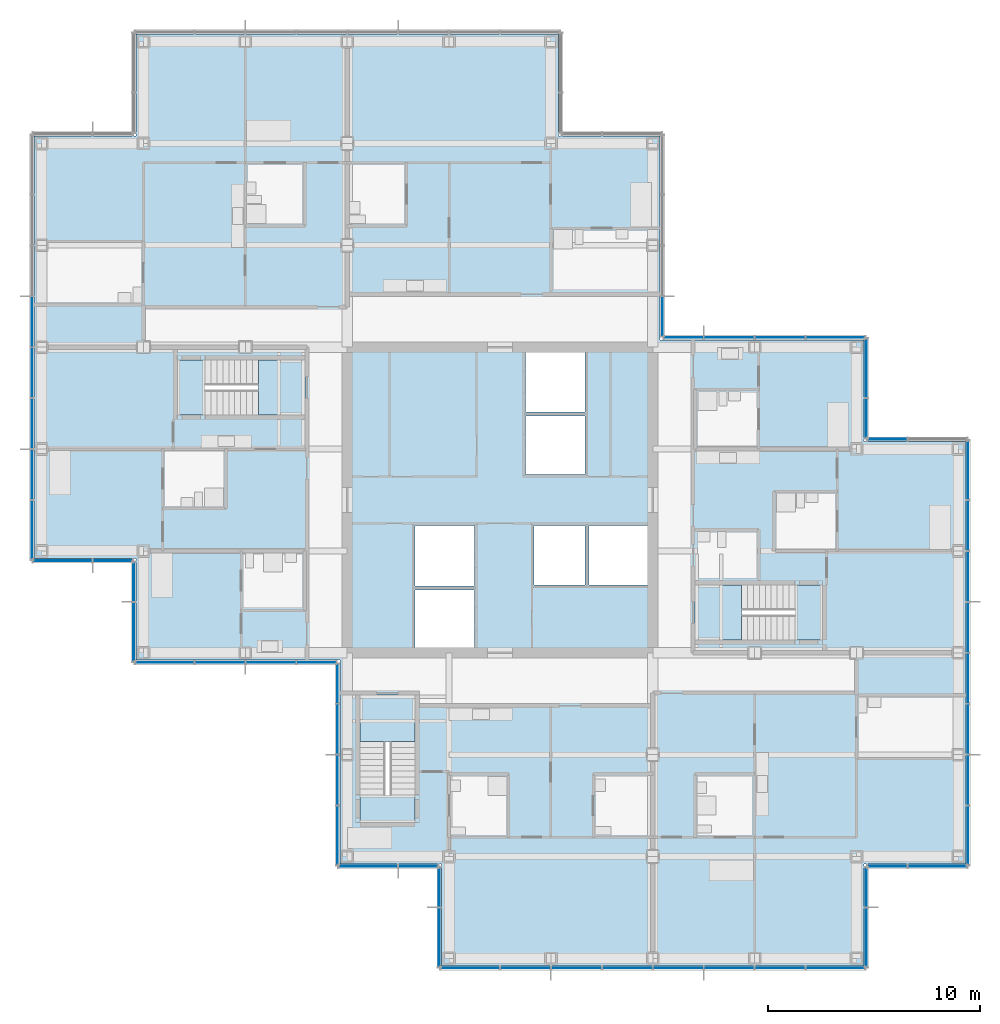
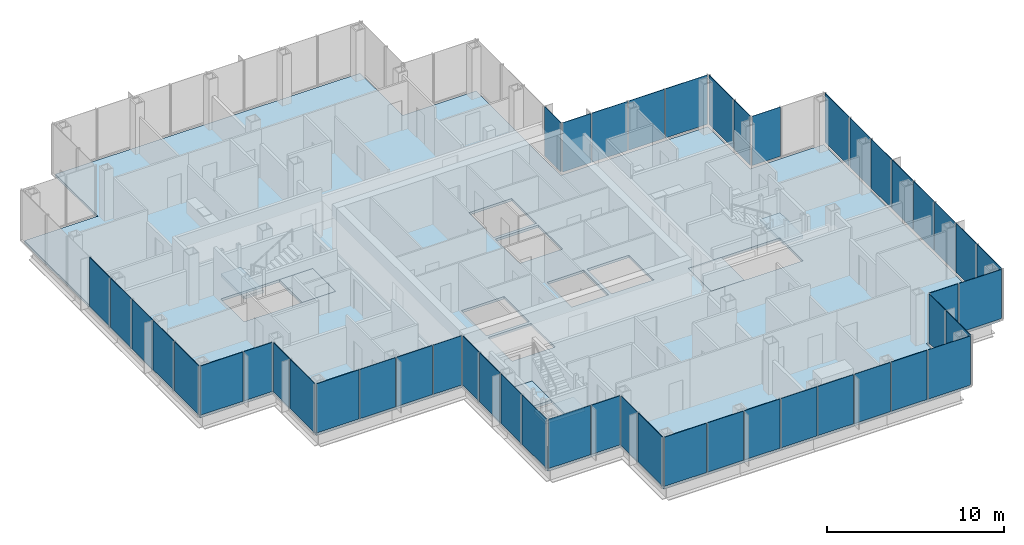
# One storey, part 11 of 19: 49 plates, 7 slabs, 18 elements without a shape of their own.
"""IFC4 building model written with IfcOpenShell, lengths in metres."""

from ifc_helpers import new_model, si_unit, direction, frame, origin, origin_2d, place, context, subcontext, project, spatial, polyline, rectangle, outline, extrude, material, layer, layer_set, type_object, element, aggregate, save


model = new_model("IFC4")

# Units and contexts
model_context = context("Model", 3, precision=1e-05, world=origin(), true_north=direction((0.0, 1.0)))
body_context = subcontext(model_context, "Body", "Model", "MODEL_VIEW")
ifc_project = project(units=[si_unit("LENGTHUNIT", "METRE"), si_unit("AREAUNIT", "SQUARE_METRE"), si_unit("VOLUMEUNIT", "CUBIC_METRE"), si_unit("PLANEANGLEUNIT", "RADIAN"), si_unit("MASSUNIT", "GRAM", prefix="KILO")], contexts=[model_context])

# Site, building, storey
site_placement = place(None, origin())
site = spatial("IfcSite", under=ifc_project, at=site_placement, CompositionType="ELEMENT")
building_placement = place(site_placement, origin())
building = spatial("IfcBuilding", under=site, at=building_placement, Name="Kvirike Care Tower", CompositionType="ELEMENT")
storey_placement = place(building_placement, frame((0.0, 0.0, 129.5)))
storey = spatial("IfcBuildingStorey", under=building, at=storey_placement, Name="L35", CompositionType="ELEMENT", Elevation=129.5)

# Slab
ifc_material_1 = material(Name="Concrete C35/45", Category="concrete")
ifc_layer_1 = layer(ifc_material_1, 0.169921875)
ifc_layer_set_1 = layer_set([ifc_layer_1], Name="FLOOR SLAB 170")
slab_type_1 = type_object("IfcSlabType", Name="FLOOR SLAB 170", PredefinedType="FLOOR", material=ifc_layer_set_1)
slab_1_placement = place(storey_placement, frame((0.0, 0.0, -0.169921875)))
element("IfcSlab", 1, at=slab_1_placement, inside=storey, type_object=slab_type_1, Name="Floor slab L35", PredefinedType="FLOOR", context=body_context, shape_type="SweptSolid", body=[
    extrude(outline(polyline([(43.550048828125, 18.85009765625), (43.550048828125, 38.75), (38.75, 38.75), (38.75, 43.550048828125), (29.14990234375, 43.550048828125), (29.14990234375, 53.14990234375), (24.35009765625, 53.14990234375), (24.35009765625, 57.949951171875), (4.449951171875, 57.949951171875), (4.449951171875, 53.14990234375), (-0.35009765625, 53.14990234375), (-0.35009765625, 33.25), (4.449951171875, 33.25), (4.449951171875, 28.449951171875), (14.050048828125, 28.449951171875), (14.050048828125, 18.85009765625), (18.85009765625, 18.85009765625), (18.85009765625, 14.050048828125), (38.75, 14.050048828125), (38.75, 18.85009765625), (43.550048828125, 18.85009765625)]), holes=[polyline([(17.60009765625, 29.050048828125), (17.60009765625, 31.75), (20.39990234375, 31.75), (20.39990234375, 29.050048828125), (17.60009765625, 29.050048828125)]), polyline([(17.60009765625, 31.949951171875), (17.60009765625, 34.800048828125), (20.39990234375, 34.800048828125), (20.39990234375, 31.949951171875), (17.60009765625, 31.949951171875)]), polyline([(22.800048828125, 37.199951171875), (22.800048828125, 39.949951171875), (25.60009765625, 39.949951171875), (25.60009765625, 37.199951171875), (22.800048828125, 37.199951171875)]), polyline([(22.800048828125, 40.14990234375), (22.800048828125, 42.949951171875), (25.60009765625, 42.949951171875), (25.60009765625, 40.14990234375), (22.800048828125, 40.14990234375)]), polyline([(23.199951171875, 32.0), (23.199951171875, 34.800048828125), (25.60009765625, 34.800048828125), (25.60009765625, 32.0), (23.199951171875, 32.0)]), polyline([(25.800048828125, 32.0), (25.800048828125, 34.800048828125), (28.550048828125, 34.800048828125), (28.550048828125, 32.0), (25.800048828125, 32.0)]), polyline([(12.39990234375, 42.60009765625), (12.39990234375, 40.0), (6.39990234375, 40.0), (6.39990234375, 42.60009765625), (12.39990234375, 42.60009765625)]), polyline([(30.800048828125, 29.39990234375), (30.800048828125, 32.0), (36.800048828125, 32.0), (36.800048828125, 29.39990234375), (30.800048828125, 29.39990234375)]), polyline([(15.0, 26.800048828125), (17.60009765625, 26.800048828125), (17.60009765625, 20.800048828125), (15.0, 20.800048828125), (15.0, 26.800048828125)])]), origin(), (0.0, 0.0, 1.0), 0.169921875),
])

# Stair, slabs
ifc_material_2 = material(Name="Concrete C35/45", Category="concrete")
stair_type = type_object("IfcStairType", Name="STAIR 20 RISERS", PredefinedType="HALF_TURN_STAIR", material=ifc_material_2)
stair_1_placement = place(storey_placement, origin())
stair_1 = element("IfcStair", 2, at=stair_1_placement, inside=storey, type_object=stair_type, Name="Stair 1 L35", PredefinedType="HALF_TURN_STAIR")
ifc_material_3 = material(Name="Concrete C35/45", Category="concrete")
ifc_layer_2 = layer(ifc_material_3, 0.199951171875)
ifc_layer_set_2 = layer_set([ifc_layer_2], Name="STAIR LANDING 200")
slab_type_2 = type_object("IfcSlabType", Name="STAIR LANDING 200", PredefinedType="LANDING", material=ifc_layer_set_2)
slab_2_placement = place(storey_placement, frame((0.0, 0.0, -0.199951171875)))
slab_2 = element("IfcSlab", 3, at=slab_2_placement, type_object=slab_type_2, Name="Stair S1 floor landing L35", PredefinedType="LANDING", context=body_context, shape_type="SweptSolid", body=[
    extrude(outline(polyline([(10.219970703125, 42.60009765625), (10.219970703125, 40.0), (12.39990234375, 40.0), (12.39990234375, 42.60009765625), (10.219970703125, 42.60009765625)])), origin(), (0.0, 0.0, 1.0), 0.199951171875),
])
slab_3_placement = place(storey_placement, frame((0.0, 0.0, 1.550048828125)))
slab_3 = element("IfcSlab", 4, at=slab_3_placement, type_object=slab_type_2, Name="Stair S1 half landing L35-L36", PredefinedType="LANDING", context=body_context, shape_type="SweptSolid", body=[
    extrude(outline(polyline([(6.39990234375, 42.60009765625), (6.39990234375, 40.0), (7.699951171875, 40.0), (7.699951171875, 42.60009765625), (6.39990234375, 42.60009765625)])), origin(), (0.0, 0.0, 1.0), 0.199951171875),
])
aggregate(stair_1, [slab_2, slab_3])

stair_2_placement = place(storey_placement, origin())
stair_2 = element("IfcStair", 5, at=stair_2_placement, inside=storey, type_object=stair_type, Name="Stair 2 L35", PredefinedType="HALF_TURN_STAIR")
slab_4_placement = place(storey_placement, frame((0.0, 0.0, -0.199951171875)))
slab_4 = element("IfcSlab", 6, at=slab_4_placement, type_object=slab_type_2, Name="Stair S2 floor landing L35", PredefinedType="LANDING", context=body_context, shape_type="SweptSolid", body=[
    extrude(outline(polyline([(32.97998046875, 29.39990234375), (32.97998046875, 32.0), (30.800048828125, 32.0), (30.800048828125, 29.39990234375), (32.97998046875, 29.39990234375)])), origin(), (0.0, 0.0, 1.0), 0.199951171875),
])
slab_5_placement = place(storey_placement, frame((0.0, 0.0, 1.550048828125)))
slab_5 = element("IfcSlab", 7, at=slab_5_placement, type_object=slab_type_2, Name="Stair S2 half landing L35-L36", PredefinedType="LANDING", context=body_context, shape_type="SweptSolid", body=[
    extrude(outline(polyline([(36.800048828125, 29.39990234375), (36.800048828125, 32.0), (35.5, 32.0), (35.5, 29.39990234375), (36.800048828125, 29.39990234375)])), origin(), (0.0, 0.0, 1.0), 0.199951171875),
])
aggregate(stair_2, [slab_4, slab_5])

stair_3_placement = place(storey_placement, origin())
stair_3 = element("IfcStair", 8, at=stair_3_placement, inside=storey, type_object=stair_type, Name="Stair 5 L35", PredefinedType="HALF_TURN_STAIR")
slab_6_placement = place(storey_placement, frame((0.0, 0.0, -0.199951171875)))
slab_6 = element("IfcSlab", 9, at=slab_6_placement, type_object=slab_type_2, Name="Stair S5 floor landing L35", PredefinedType="LANDING", context=body_context, shape_type="SweptSolid", body=[
    extrude(outline(polyline([(15.0, 24.6201171875), (17.60009765625, 24.6201171875), (17.60009765625, 26.800048828125), (15.0, 26.800048828125), (15.0, 24.6201171875)])), origin(), (0.0, 0.0, 1.0), 0.199951171875),
])
slab_7_placement = place(storey_placement, frame((0.0, 0.0, 1.550048828125)))
slab_7 = element("IfcSlab", 10, at=slab_7_placement, type_object=slab_type_2, Name="Stair S5 half landing L35-L36", PredefinedType="LANDING", context=body_context, shape_type="SweptSolid", body=[
    extrude(outline(polyline([(15.0, 20.800048828125), (17.60009765625, 20.800048828125), (17.60009765625, 22.10009765625), (15.0, 22.10009765625), (15.0, 20.800048828125)])), origin(), (0.0, 0.0, 1.0), 0.199951171875),
])
aggregate(stair_3, [slab_6, slab_7])

# Curtain wall, plates
ifc_material_4 = material(Name="Anodised aluminium stick system", Category="aluminium")
curtain_wall_type = type_object("IfcCurtainWallType", Name="CW-B STICK CURTAIN WALL", PredefinedType="NOTDEFINED", material=ifc_material_4)
curtain_wall_1_placement = place(storey_placement, origin())
curtain_wall_1 = element("IfcCurtainWall", 11, at=curtain_wall_1_placement, inside=storey, type_object=curtain_wall_type, Name="Curtain wall L35 face 1", PredefinedType="NOTDEFINED")
ifc_material_5 = material(Name="Tinted double glazed unit", Category="glass")
ifc_layer_3 = layer(ifc_material_5, 0.035888671875)
ifc_layer_set_3 = layer_set([ifc_layer_3], Name="TINTED VISION PANEL 36")
plate_type = type_object("IfcPlateType", Name="TINTED VISION PANEL 36", PredefinedType="CURTAIN_PANEL", material=ifc_layer_set_3)
plate_1_placement = place(storey_placement, frame((43.659912109375, 20.186279296875, 0.10009765625), z_axis=(0.0, 0.0, 1.0), x_axis=(0.0, 1.0, 0.0)))
plate_1 = element("IfcPlate", 12, at=plate_1_placement, type_object=plate_type, Name="CW-B panel L35 face 1.1", PredefinedType="CURTAIN_PANEL", context=body_context, shape_type="SweptSolid", body=[
    extrude(rectangle(XDim=2.762451171875, YDim=0.035888671875, at=origin_2d()), origin(), (0.0, 0.0, 1.0), 3.39990234375),
])
plate_2_placement = place(storey_placement, frame((43.659912109375, 22.800048828125, 0.10009765625), z_axis=(0.0, 0.0, 1.0), x_axis=(0.0, 1.0, 0.0)))
plate_2 = element("IfcPlate", 13, at=plate_2_placement, type_object=plate_type, Name="CW-B panel L35 face 1.2", PredefinedType="CURTAIN_PANEL", context=body_context, shape_type="SweptSolid", body=[
    extrude(rectangle(XDim=2.3349609375, YDim=0.035888671875, at=origin_2d()), origin(), (0.0, 0.0, 1.0), 3.39990234375),
])
plate_3_placement = place(storey_placement, frame((43.659912109375, 25.199951171875, 0.10009765625), z_axis=(0.0, 0.0, 1.0), x_axis=(0.0, 1.0, 0.0)))
plate_3 = element("IfcPlate", 14, at=plate_3_placement, type_object=plate_type, Name="CW-B panel L35 face 1.3", PredefinedType="CURTAIN_PANEL", context=body_context, shape_type="SweptSolid", body=[
    extrude(rectangle(XDim=2.3349609375, YDim=0.035888671875, at=origin_2d()), origin(), (0.0, 0.0, 1.0), 3.39990234375),
])
plate_4_placement = place(storey_placement, frame((43.659912109375, 27.60009765625, 0.10009765625), z_axis=(0.0, 0.0, 1.0), x_axis=(0.0, 1.0, 0.0)))
plate_4 = element("IfcPlate", 15, at=plate_4_placement, type_object=plate_type, Name="CW-B panel L35 face 1.4", PredefinedType="CURTAIN_PANEL", context=body_context, shape_type="SweptSolid", body=[
    extrude(rectangle(XDim=2.3349609375, YDim=0.035888671875, at=origin_2d()), origin(), (0.0, 0.0, 1.0), 3.39990234375),
])
plate_5_placement = place(storey_placement, frame((43.659912109375, 30.0, 0.10009765625), z_axis=(0.0, 0.0, 1.0), x_axis=(0.0, 1.0, 0.0)))
plate_5 = element("IfcPlate", 16, at=plate_5_placement, type_object=plate_type, Name="CW-B panel L35 face 1.5", PredefinedType="CURTAIN_PANEL", context=body_context, shape_type="SweptSolid", body=[
    extrude(rectangle(XDim=2.3349609375, YDim=0.035888671875, at=origin_2d()), origin(), (0.0, 0.0, 1.0), 3.39990234375),
])
plate_6_placement = place(storey_placement, frame((43.659912109375, 32.39990234375, 0.10009765625), z_axis=(0.0, 0.0, 1.0), x_axis=(0.0, 1.0, 0.0)))
plate_6 = element("IfcPlate", 17, at=plate_6_placement, type_object=plate_type, Name="CW-B panel L35 face 1.6", PredefinedType="CURTAIN_PANEL", context=body_context, shape_type="SweptSolid", body=[
    extrude(rectangle(XDim=2.3349609375, YDim=0.035888671875, at=origin_2d()), origin(), (0.0, 0.0, 1.0), 3.39990234375),
])
plate_7_placement = place(storey_placement, frame((43.659912109375, 34.800048828125, 0.10009765625), z_axis=(0.0, 0.0, 1.0), x_axis=(0.0, 1.0, 0.0)))
plate_7 = element("IfcPlate", 18, at=plate_7_placement, type_object=plate_type, Name="CW-B panel L35 face 1.7", PredefinedType="CURTAIN_PANEL", context=body_context, shape_type="SweptSolid", body=[
    extrude(rectangle(XDim=2.3349609375, YDim=0.035888671875, at=origin_2d()), origin(), (0.0, 0.0, 1.0), 3.39990234375),
])
plate_8_placement = place(storey_placement, frame((43.659912109375, 37.413818359375, 0.10009765625), z_axis=(0.0, 0.0, 1.0), x_axis=(0.0, 1.0, 0.0)))
plate_8 = element("IfcPlate", 19, at=plate_8_placement, type_object=plate_type, Name="CW-B panel L35 face 1.8", PredefinedType="CURTAIN_PANEL", context=body_context, shape_type="SweptSolid", body=[
    extrude(rectangle(XDim=2.762451171875, YDim=0.035888671875, at=origin_2d()), origin(), (0.0, 0.0, 1.0), 3.39990234375),
])
aggregate(curtain_wall_1, [plate_1, plate_2, plate_3, plate_4, plate_5, plate_6, plate_7, plate_8])

# Curtain wall, plate
curtain_wall_2_placement = place(storey_placement, origin())
curtain_wall_2 = element("IfcCurtainWall", 20, at=curtain_wall_2_placement, inside=storey, type_object=curtain_wall_type, Name="Curtain wall L35 face 2", PredefinedType="NOTDEFINED")
plate_9_placement = place(storey_placement, frame((39.84619140625, 38.860107421875, 0.10009765625), z_axis=(0.0, 0.0, 1.0), x_axis=(-1.0, 0.0, 0.0)))
plate_9 = element("IfcPlate", 21, at=plate_9_placement, type_object=plate_type, Name="CW-B panel L35 face 2.2", PredefinedType="CURTAIN_PANEL", context=body_context, shape_type="SweptSolid", body=[
    extrude(rectangle(XDim=1.842529296875, YDim=0.035888671875, at=origin_2d()), origin(), (0.0, 0.0, 1.0), 3.39990234375),
])
aggregate(curtain_wall_2, [plate_9])

# Curtain wall, plates
curtain_wall_3_placement = place(storey_placement, origin())
curtain_wall_3 = element("IfcCurtainWall", 22, at=curtain_wall_3_placement, inside=storey, type_object=curtain_wall_type, Name="Curtain wall L35 face 3", PredefinedType="NOTDEFINED")
plate_10_placement = place(storey_placement, frame((38.860107421875, 39.84619140625, 0.10009765625), z_axis=(0.0, 0.0, 1.0), x_axis=(0.0, 1.0, 0.0)))
plate_10 = element("IfcPlate", 23, at=plate_10_placement, type_object=plate_type, Name="CW-B panel L35 face 3.1", PredefinedType="CURTAIN_PANEL", context=body_context, shape_type="SweptSolid", body=[
    extrude(rectangle(XDim=1.842529296875, YDim=0.035888671875, at=origin_2d()), origin(), (0.0, 0.0, 1.0), 3.39990234375),
])
plate_11_placement = place(storey_placement, frame((38.860107421875, 42.2138671875, 0.10009765625), z_axis=(0.0, 0.0, 1.0), x_axis=(0.0, 1.0, 0.0)))
plate_11 = element("IfcPlate", 24, at=plate_11_placement, type_object=plate_type, Name="CW-B panel L35 face 3.2", PredefinedType="CURTAIN_PANEL", context=body_context, shape_type="SweptSolid", body=[
    extrude(rectangle(XDim=2.762451171875, YDim=0.035888671875, at=origin_2d()), origin(), (0.0, 0.0, 1.0), 3.39990234375),
])
aggregate(curtain_wall_3, [plate_10, plate_11])

curtain_wall_4_placement = place(storey_placement, origin())
curtain_wall_4 = element("IfcCurtainWall", 25, at=curtain_wall_4_placement, inside=storey, type_object=curtain_wall_type, Name="Curtain wall L35 face 4", PredefinedType="NOTDEFINED")
plate_12_placement = place(storey_placement, frame((37.413818359375, 43.659912109375, 0.10009765625), z_axis=(0.0, 0.0, 1.0), x_axis=(-1.0, 0.0, 0.0)))
plate_12 = element("IfcPlate", 26, at=plate_12_placement, type_object=plate_type, Name="CW-B panel L35 face 4.1", PredefinedType="CURTAIN_PANEL", context=body_context, shape_type="SweptSolid", body=[
    extrude(rectangle(XDim=2.762451171875, YDim=0.035888671875, at=origin_2d()), origin(), (0.0, 0.0, 1.0), 3.39990234375),
])
plate_13_placement = place(storey_placement, frame((34.800048828125, 43.659912109375, 0.10009765625), z_axis=(0.0, 0.0, 1.0), x_axis=(-1.0, 0.0, 0.0)))
plate_13 = element("IfcPlate", 27, at=plate_13_placement, type_object=plate_type, Name="CW-B panel L35 face 4.2", PredefinedType="CURTAIN_PANEL", context=body_context, shape_type="SweptSolid", body=[
    extrude(rectangle(XDim=2.3349609375, YDim=0.035888671875, at=origin_2d()), origin(), (0.0, 0.0, 1.0), 3.39990234375),
])
plate_14_placement = place(storey_placement, frame((32.39990234375, 43.659912109375, 0.10009765625), z_axis=(0.0, 0.0, 1.0), x_axis=(-1.0, 0.0, 0.0)))
plate_14 = element("IfcPlate", 28, at=plate_14_placement, type_object=plate_type, Name="CW-B panel L35 face 4.3", PredefinedType="CURTAIN_PANEL", context=body_context, shape_type="SweptSolid", body=[
    extrude(rectangle(XDim=2.3349609375, YDim=0.035888671875, at=origin_2d()), origin(), (0.0, 0.0, 1.0), 3.39990234375),
])
plate_15_placement = place(storey_placement, frame((30.246337890625, 43.659912109375, 0.10009765625), z_axis=(0.0, 0.0, 1.0), x_axis=(-1.0, 0.0, 0.0)))
plate_15 = element("IfcPlate", 29, at=plate_15_placement, type_object=plate_type, Name="CW-B panel L35 face 4.4", PredefinedType="CURTAIN_PANEL", context=body_context, shape_type="SweptSolid", body=[
    extrude(rectangle(XDim=1.842529296875, YDim=0.035888671875, at=origin_2d()), origin(), (0.0, 0.0, 1.0), 3.39990234375),
])
aggregate(curtain_wall_4, [plate_12, plate_13, plate_14, plate_15])

# Curtain wall, plate
curtain_wall_5_placement = place(storey_placement, origin())
curtain_wall_5 = element("IfcCurtainWall", 30, at=curtain_wall_5_placement, inside=storey, type_object=curtain_wall_type, Name="Curtain wall L35 face 5", PredefinedType="NOTDEFINED")
plate_16_placement = place(storey_placement, frame((29.260009765625, 44.646240234375, 0.10009765625), z_axis=(0.0, 0.0, 1.0), x_axis=(0.0, 1.0, 0.0)))
plate_16 = element("IfcPlate", 31, at=plate_16_placement, type_object=plate_type, Name="CW-B panel L35 face 5.1", PredefinedType="CURTAIN_PANEL", context=body_context, shape_type="SweptSolid", body=[
    extrude(rectangle(XDim=1.842529296875, YDim=0.035888671875, at=origin_2d()), origin(), (0.0, 0.0, 1.0), 3.39990234375),
])
aggregate(curtain_wall_5, [plate_16])

# Curtain wall, plates
curtain_wall_6_placement = place(storey_placement, origin())
curtain_wall_6 = element("IfcCurtainWall", 32, at=curtain_wall_6_placement, inside=storey, type_object=curtain_wall_type, Name="Curtain wall L35 face 11", PredefinedType="NOTDEFINED")
plate_17_placement = place(storey_placement, frame((-0.4599609375, 44.39990234375, 0.10009765625), z_axis=(0.0, 0.0, 1.0), x_axis=(0.0, -1.0, 0.0)))
plate_17 = element("IfcPlate", 33, at=plate_17_placement, type_object=plate_type, Name="CW-B panel L35 face 11.4", PredefinedType="CURTAIN_PANEL", context=body_context, shape_type="SweptSolid", body=[
    extrude(rectangle(XDim=2.3349609375, YDim=0.035888671875, at=origin_2d()), origin(), (0.0, 0.0, 1.0), 3.39990234375),
])
plate_18_placement = place(storey_placement, frame((-0.4599609375, 42.0, 0.10009765625), z_axis=(0.0, 0.0, 1.0), x_axis=(0.0, -1.0, 0.0)))
plate_18 = element("IfcPlate", 34, at=plate_18_placement, type_object=plate_type, Name="CW-B panel L35 face 11.5", PredefinedType="CURTAIN_PANEL", context=body_context, shape_type="SweptSolid", body=[
    extrude(rectangle(XDim=2.3349609375, YDim=0.035888671875, at=origin_2d()), origin(), (0.0, 0.0, 1.0), 3.39990234375),
])
plate_19_placement = place(storey_placement, frame((-0.4599609375, 39.60009765625, 0.10009765625), z_axis=(0.0, 0.0, 1.0), x_axis=(0.0, -1.0, 0.0)))
plate_19 = element("IfcPlate", 35, at=plate_19_placement, type_object=plate_type, Name="CW-B panel L35 face 11.6", PredefinedType="CURTAIN_PANEL", context=body_context, shape_type="SweptSolid", body=[
    extrude(rectangle(XDim=2.3349609375, YDim=0.035888671875, at=origin_2d()), origin(), (0.0, 0.0, 1.0), 3.39990234375),
])
plate_20_placement = place(storey_placement, frame((-0.4599609375, 37.199951171875, 0.10009765625), z_axis=(0.0, 0.0, 1.0), x_axis=(0.0, -1.0, 0.0)))
plate_20 = element("IfcPlate", 36, at=plate_20_placement, type_object=plate_type, Name="CW-B panel L35 face 11.7", PredefinedType="CURTAIN_PANEL", context=body_context, shape_type="SweptSolid", body=[
    extrude(rectangle(XDim=2.3349609375, YDim=0.035888671875, at=origin_2d()), origin(), (0.0, 0.0, 1.0), 3.39990234375),
])
plate_21_placement = place(storey_placement, frame((-0.4599609375, 34.586181640625, 0.10009765625), z_axis=(0.0, 0.0, 1.0), x_axis=(0.0, -1.0, 0.0)))
plate_21 = element("IfcPlate", 37, at=plate_21_placement, type_object=plate_type, Name="CW-B panel L35 face 11.8", PredefinedType="CURTAIN_PANEL", context=body_context, shape_type="SweptSolid", body=[
    extrude(rectangle(XDim=2.762451171875, YDim=0.035888671875, at=origin_2d()), origin(), (0.0, 0.0, 1.0), 3.39990234375),
])
aggregate(curtain_wall_6, [plate_17, plate_18, plate_19, plate_20, plate_21])

curtain_wall_7_placement = place(storey_placement, origin())
curtain_wall_7 = element("IfcCurtainWall", 38, at=curtain_wall_7_placement, inside=storey, type_object=curtain_wall_type, Name="Curtain wall L35 face 12", PredefinedType="NOTDEFINED")
plate_22_placement = place(storey_placement, frame((0.986328125, 33.139892578125, 0.10009765625), z_axis=(0.0, 0.0, 1.0), x_axis=(1.0, 0.0, 0.0)))
plate_22 = element("IfcPlate", 39, at=plate_22_placement, type_object=plate_type, Name="CW-B panel L35 face 12.1", PredefinedType="CURTAIN_PANEL", context=body_context, shape_type="SweptSolid", body=[
    extrude(rectangle(XDim=2.762451171875, YDim=0.035888671875, at=origin_2d()), origin(), (0.0, 0.0, 1.0), 3.39990234375),
])
plate_23_placement = place(storey_placement, frame((3.353759765625, 33.139892578125, 0.10009765625), z_axis=(0.0, 0.0, 1.0), x_axis=(1.0, 0.0, 0.0)))
plate_23 = element("IfcPlate", 40, at=plate_23_placement, type_object=plate_type, Name="CW-B panel L35 face 12.2", PredefinedType="CURTAIN_PANEL", context=body_context, shape_type="SweptSolid", body=[
    extrude(rectangle(XDim=1.842529296875, YDim=0.035888671875, at=origin_2d()), origin(), (0.0, 0.0, 1.0), 3.39990234375),
])
aggregate(curtain_wall_7, [plate_22, plate_23])

curtain_wall_8_placement = place(storey_placement, origin())
curtain_wall_8 = element("IfcCurtainWall", 41, at=curtain_wall_8_placement, inside=storey, type_object=curtain_wall_type, Name="Curtain wall L35 face 13", PredefinedType="NOTDEFINED")
plate_24_placement = place(storey_placement, frame((4.340087890625, 32.15380859375, 0.10009765625), z_axis=(0.0, 0.0, 1.0), x_axis=(0.0, -1.0, 0.0)))
plate_24 = element("IfcPlate", 42, at=plate_24_placement, type_object=plate_type, Name="CW-B panel L35 face 13.1", PredefinedType="CURTAIN_PANEL", context=body_context, shape_type="SweptSolid", body=[
    extrude(rectangle(XDim=1.842529296875, YDim=0.035888671875, at=origin_2d()), origin(), (0.0, 0.0, 1.0), 3.39990234375),
])
plate_25_placement = place(storey_placement, frame((4.340087890625, 29.7861328125, 0.10009765625), z_axis=(0.0, 0.0, 1.0), x_axis=(0.0, -1.0, 0.0)))
plate_25 = element("IfcPlate", 43, at=plate_25_placement, type_object=plate_type, Name="CW-B panel L35 face 13.2", PredefinedType="CURTAIN_PANEL", context=body_context, shape_type="SweptSolid", body=[
    extrude(rectangle(XDim=2.762451171875, YDim=0.035888671875, at=origin_2d()), origin(), (0.0, 0.0, 1.0), 3.39990234375),
])
aggregate(curtain_wall_8, [plate_24, plate_25])

curtain_wall_9_placement = place(storey_placement, origin())
curtain_wall_9 = element("IfcCurtainWall", 44, at=curtain_wall_9_placement, inside=storey, type_object=curtain_wall_type, Name="Curtain wall L35 face 14", PredefinedType="NOTDEFINED")
plate_26_placement = place(storey_placement, frame((5.7861328125, 28.340087890625, 0.10009765625), z_axis=(0.0, 0.0, 1.0), x_axis=(1.0, 0.0, 0.0)))
plate_26 = element("IfcPlate", 45, at=plate_26_placement, type_object=plate_type, Name="CW-B panel L35 face 14.1", PredefinedType="CURTAIN_PANEL", context=body_context, shape_type="SweptSolid", body=[
    extrude(rectangle(XDim=2.762451171875, YDim=0.035888671875, at=origin_2d()), origin(), (0.0, 0.0, 1.0), 3.39990234375),
])
plate_27_placement = place(storey_placement, frame((8.39990234375, 28.340087890625, 0.10009765625), z_axis=(0.0, 0.0, 1.0), x_axis=(1.0, 0.0, 0.0)))
plate_27 = element("IfcPlate", 46, at=plate_27_placement, type_object=plate_type, Name="CW-B panel L35 face 14.2", PredefinedType="CURTAIN_PANEL", context=body_context, shape_type="SweptSolid", body=[
    extrude(rectangle(XDim=2.3349609375, YDim=0.035888671875, at=origin_2d()), origin(), (0.0, 0.0, 1.0), 3.39990234375),
])
plate_28_placement = place(storey_placement, frame((10.800048828125, 28.340087890625, 0.10009765625), z_axis=(0.0, 0.0, 1.0), x_axis=(1.0, 0.0, 0.0)))
plate_28 = element("IfcPlate", 47, at=plate_28_placement, type_object=plate_type, Name="CW-B panel L35 face 14.3", PredefinedType="CURTAIN_PANEL", context=body_context, shape_type="SweptSolid", body=[
    extrude(rectangle(XDim=2.3349609375, YDim=0.035888671875, at=origin_2d()), origin(), (0.0, 0.0, 1.0), 3.39990234375),
])
plate_29_placement = place(storey_placement, frame((12.953857421875, 28.340087890625, 0.10009765625), z_axis=(0.0, 0.0, 1.0), x_axis=(1.0, 0.0, 0.0)))
plate_29 = element("IfcPlate", 48, at=plate_29_placement, type_object=plate_type, Name="CW-B panel L35 face 14.4", PredefinedType="CURTAIN_PANEL", context=body_context, shape_type="SweptSolid", body=[
    extrude(rectangle(XDim=1.842529296875, YDim=0.035888671875, at=origin_2d()), origin(), (0.0, 0.0, 1.0), 3.39990234375),
])
aggregate(curtain_wall_9, [plate_26, plate_27, plate_28, plate_29])

curtain_wall_10_placement = place(storey_placement, origin())
curtain_wall_10 = element("IfcCurtainWall", 49, at=curtain_wall_10_placement, inside=storey, type_object=curtain_wall_type, Name="Curtain wall L35 face 15", PredefinedType="NOTDEFINED")
plate_30_placement = place(storey_placement, frame((13.93994140625, 27.353759765625, 0.10009765625), z_axis=(0.0, 0.0, 1.0), x_axis=(0.0, -1.0, 0.0)))
plate_30 = element("IfcPlate", 50, at=plate_30_placement, type_object=plate_type, Name="CW-B panel L35 face 15.1", PredefinedType="CURTAIN_PANEL", context=body_context, shape_type="SweptSolid", body=[
    extrude(rectangle(XDim=1.842529296875, YDim=0.035888671875, at=origin_2d()), origin(), (0.0, 0.0, 1.0), 3.39990234375),
])
plate_31_placement = place(storey_placement, frame((13.93994140625, 25.199951171875, 0.10009765625), z_axis=(0.0, 0.0, 1.0), x_axis=(0.0, -1.0, 0.0)))
plate_31 = element("IfcPlate", 51, at=plate_31_placement, type_object=plate_type, Name="CW-B panel L35 face 15.2", PredefinedType="CURTAIN_PANEL", context=body_context, shape_type="SweptSolid", body=[
    extrude(rectangle(XDim=2.3349609375, YDim=0.035888671875, at=origin_2d()), origin(), (0.0, 0.0, 1.0), 3.39990234375),
])
plate_32_placement = place(storey_placement, frame((13.93994140625, 22.800048828125, 0.10009765625), z_axis=(0.0, 0.0, 1.0), x_axis=(0.0, -1.0, 0.0)))
plate_32 = element("IfcPlate", 52, at=plate_32_placement, type_object=plate_type, Name="CW-B panel L35 face 15.3", PredefinedType="CURTAIN_PANEL", context=body_context, shape_type="SweptSolid", body=[
    extrude(rectangle(XDim=2.3349609375, YDim=0.035888671875, at=origin_2d()), origin(), (0.0, 0.0, 1.0), 3.39990234375),
])
plate_33_placement = place(storey_placement, frame((13.93994140625, 20.186279296875, 0.10009765625), z_axis=(0.0, 0.0, 1.0), x_axis=(0.0, -1.0, 0.0)))
plate_33 = element("IfcPlate", 53, at=plate_33_placement, type_object=plate_type, Name="CW-B panel L35 face 15.4", PredefinedType="CURTAIN_PANEL", context=body_context, shape_type="SweptSolid", body=[
    extrude(rectangle(XDim=2.762451171875, YDim=0.035888671875, at=origin_2d()), origin(), (0.0, 0.0, 1.0), 3.39990234375),
])
aggregate(curtain_wall_10, [plate_30, plate_31, plate_32, plate_33])

curtain_wall_11_placement = place(storey_placement, origin())
curtain_wall_11 = element("IfcCurtainWall", 54, at=curtain_wall_11_placement, inside=storey, type_object=curtain_wall_type, Name="Curtain wall L35 face 16", PredefinedType="NOTDEFINED")
plate_34_placement = place(storey_placement, frame((15.38623046875, 18.739990234375, 0.10009765625), z_axis=(0.0, 0.0, 1.0), x_axis=(1.0, 0.0, 0.0)))
plate_34 = element("IfcPlate", 55, at=plate_34_placement, type_object=plate_type, Name="CW-B panel L35 face 16.1", PredefinedType="CURTAIN_PANEL", context=body_context, shape_type="SweptSolid", body=[
    extrude(rectangle(XDim=2.762451171875, YDim=0.035888671875, at=origin_2d()), origin(), (0.0, 0.0, 1.0), 3.39990234375),
])
plate_35_placement = place(storey_placement, frame((17.753662109375, 18.739990234375, 0.10009765625), z_axis=(0.0, 0.0, 1.0), x_axis=(1.0, 0.0, 0.0)))
plate_35 = element("IfcPlate", 56, at=plate_35_placement, type_object=plate_type, Name="CW-B panel L35 face 16.2", PredefinedType="CURTAIN_PANEL", context=body_context, shape_type="SweptSolid", body=[
    extrude(rectangle(XDim=1.842529296875, YDim=0.035888671875, at=origin_2d()), origin(), (0.0, 0.0, 1.0), 3.39990234375),
])
aggregate(curtain_wall_11, [plate_34, plate_35])

curtain_wall_12_placement = place(storey_placement, origin())
curtain_wall_12 = element("IfcCurtainWall", 57, at=curtain_wall_12_placement, inside=storey, type_object=curtain_wall_type, Name="Curtain wall L35 face 17", PredefinedType="NOTDEFINED")
plate_36_placement = place(storey_placement, frame((18.739990234375, 17.753662109375, 0.10009765625), z_axis=(0.0, 0.0, 1.0), x_axis=(0.0, -1.0, 0.0)))
plate_36 = element("IfcPlate", 58, at=plate_36_placement, type_object=plate_type, Name="CW-B panel L35 face 17.1", PredefinedType="CURTAIN_PANEL", context=body_context, shape_type="SweptSolid", body=[
    extrude(rectangle(XDim=1.842529296875, YDim=0.035888671875, at=origin_2d()), origin(), (0.0, 0.0, 1.0), 3.39990234375),
])
plate_37_placement = place(storey_placement, frame((18.739990234375, 15.38623046875, 0.10009765625), z_axis=(0.0, 0.0, 1.0), x_axis=(0.0, -1.0, 0.0)))
plate_37 = element("IfcPlate", 59, at=plate_37_placement, type_object=plate_type, Name="CW-B panel L35 face 17.2", PredefinedType="CURTAIN_PANEL", context=body_context, shape_type="SweptSolid", body=[
    extrude(rectangle(XDim=2.762451171875, YDim=0.035888671875, at=origin_2d()), origin(), (0.0, 0.0, 1.0), 3.39990234375),
])
aggregate(curtain_wall_12, [plate_36, plate_37])

curtain_wall_13_placement = place(storey_placement, origin())
curtain_wall_13 = element("IfcCurtainWall", 60, at=curtain_wall_13_placement, inside=storey, type_object=curtain_wall_type, Name="Curtain wall L35 face 18", PredefinedType="NOTDEFINED")
plate_38_placement = place(storey_placement, frame((20.186279296875, 13.93994140625, 0.10009765625), z_axis=(0.0, 0.0, 1.0), x_axis=(1.0, 0.0, 0.0)))
plate_38 = element("IfcPlate", 61, at=plate_38_placement, type_object=plate_type, Name="CW-B panel L35 face 18.1", PredefinedType="CURTAIN_PANEL", context=body_context, shape_type="SweptSolid", body=[
    extrude(rectangle(XDim=2.762451171875, YDim=0.035888671875, at=origin_2d()), origin(), (0.0, 0.0, 1.0), 3.39990234375),
])
plate_39_placement = place(storey_placement, frame((22.800048828125, 13.93994140625, 0.10009765625), z_axis=(0.0, 0.0, 1.0), x_axis=(1.0, 0.0, 0.0)))
plate_39 = element("IfcPlate", 62, at=plate_39_placement, type_object=plate_type, Name="CW-B panel L35 face 18.2", PredefinedType="CURTAIN_PANEL", context=body_context, shape_type="SweptSolid", body=[
    extrude(rectangle(XDim=2.3349609375, YDim=0.035888671875, at=origin_2d()), origin(), (0.0, 0.0, 1.0), 3.39990234375),
])
plate_40_placement = place(storey_placement, frame((25.199951171875, 13.93994140625, 0.10009765625), z_axis=(0.0, 0.0, 1.0), x_axis=(1.0, 0.0, 0.0)))
plate_40 = element("IfcPlate", 63, at=plate_40_placement, type_object=plate_type, Name="CW-B panel L35 face 18.3", PredefinedType="CURTAIN_PANEL", context=body_context, shape_type="SweptSolid", body=[
    extrude(rectangle(XDim=2.3349609375, YDim=0.035888671875, at=origin_2d()), origin(), (0.0, 0.0, 1.0), 3.39990234375),
])
plate_41_placement = place(storey_placement, frame((27.60009765625, 13.93994140625, 0.10009765625), z_axis=(0.0, 0.0, 1.0), x_axis=(1.0, 0.0, 0.0)))
plate_41 = element("IfcPlate", 64, at=plate_41_placement, type_object=plate_type, Name="CW-B panel L35 face 18.4", PredefinedType="CURTAIN_PANEL", context=body_context, shape_type="SweptSolid", body=[
    extrude(rectangle(XDim=2.3349609375, YDim=0.035888671875, at=origin_2d()), origin(), (0.0, 0.0, 1.0), 3.39990234375),
])
plate_42_placement = place(storey_placement, frame((30.0, 13.93994140625, 0.10009765625), z_axis=(0.0, 0.0, 1.0), x_axis=(1.0, 0.0, 0.0)))
plate_42 = element("IfcPlate", 65, at=plate_42_placement, type_object=plate_type, Name="CW-B panel L35 face 18.5", PredefinedType="CURTAIN_PANEL", context=body_context, shape_type="SweptSolid", body=[
    extrude(rectangle(XDim=2.3349609375, YDim=0.035888671875, at=origin_2d()), origin(), (0.0, 0.0, 1.0), 3.39990234375),
])
plate_43_placement = place(storey_placement, frame((32.39990234375, 13.93994140625, 0.10009765625), z_axis=(0.0, 0.0, 1.0), x_axis=(1.0, 0.0, 0.0)))
plate_43 = element("IfcPlate", 66, at=plate_43_placement, type_object=plate_type, Name="CW-B panel L35 face 18.6", PredefinedType="CURTAIN_PANEL", context=body_context, shape_type="SweptSolid", body=[
    extrude(rectangle(XDim=2.3349609375, YDim=0.035888671875, at=origin_2d()), origin(), (0.0, 0.0, 1.0), 3.39990234375),
])
plate_44_placement = place(storey_placement, frame((34.800048828125, 13.93994140625, 0.10009765625), z_axis=(0.0, 0.0, 1.0), x_axis=(1.0, 0.0, 0.0)))
plate_44 = element("IfcPlate", 67, at=plate_44_placement, type_object=plate_type, Name="CW-B panel L35 face 18.7", PredefinedType="CURTAIN_PANEL", context=body_context, shape_type="SweptSolid", body=[
    extrude(rectangle(XDim=2.3349609375, YDim=0.035888671875, at=origin_2d()), origin(), (0.0, 0.0, 1.0), 3.39990234375),
])
plate_45_placement = place(storey_placement, frame((37.413818359375, 13.93994140625, 0.10009765625), z_axis=(0.0, 0.0, 1.0), x_axis=(1.0, 0.0, 0.0)))
plate_45 = element("IfcPlate", 68, at=plate_45_placement, type_object=plate_type, Name="CW-B panel L35 face 18.8", PredefinedType="CURTAIN_PANEL", context=body_context, shape_type="SweptSolid", body=[
    extrude(rectangle(XDim=2.762451171875, YDim=0.035888671875, at=origin_2d()), origin(), (0.0, 0.0, 1.0), 3.39990234375),
])
aggregate(curtain_wall_13, [plate_38, plate_39, plate_40, plate_41, plate_42, plate_43, plate_44, plate_45])

curtain_wall_14_placement = place(storey_placement, origin())
curtain_wall_14 = element("IfcCurtainWall", 69, at=curtain_wall_14_placement, inside=storey, type_object=curtain_wall_type, Name="Curtain wall L35 face 19", PredefinedType="NOTDEFINED")
plate_46_placement = place(storey_placement, frame((38.860107421875, 15.38623046875, 0.10009765625), z_axis=(0.0, 0.0, 1.0), x_axis=(0.0, 1.0, 0.0)))
plate_46 = element("IfcPlate", 70, at=plate_46_placement, type_object=plate_type, Name="CW-B panel L35 face 19.1", PredefinedType="CURTAIN_PANEL", context=body_context, shape_type="SweptSolid", body=[
    extrude(rectangle(XDim=2.762451171875, YDim=0.035888671875, at=origin_2d()), origin(), (0.0, 0.0, 1.0), 3.39990234375),
])
plate_47_placement = place(storey_placement, frame((38.860107421875, 17.753662109375, 0.10009765625), z_axis=(0.0, 0.0, 1.0), x_axis=(0.0, 1.0, 0.0)))
plate_47 = element("IfcPlate", 71, at=plate_47_placement, type_object=plate_type, Name="CW-B panel L35 face 19.2", PredefinedType="CURTAIN_PANEL", context=body_context, shape_type="SweptSolid", body=[
    extrude(rectangle(XDim=1.842529296875, YDim=0.035888671875, at=origin_2d()), origin(), (0.0, 0.0, 1.0), 3.39990234375),
])
aggregate(curtain_wall_14, [plate_46, plate_47])

curtain_wall_15_placement = place(storey_placement, origin())
curtain_wall_15 = element("IfcCurtainWall", 72, at=curtain_wall_15_placement, inside=storey, type_object=curtain_wall_type, Name="Curtain wall L35 face 20", PredefinedType="NOTDEFINED")
plate_48_placement = place(storey_placement, frame((39.84619140625, 18.739990234375, 0.10009765625), z_axis=(0.0, 0.0, 1.0), x_axis=(1.0, 0.0, 0.0)))
plate_48 = element("IfcPlate", 73, at=plate_48_placement, type_object=plate_type, Name="CW-B panel L35 face 20.1", PredefinedType="CURTAIN_PANEL", context=body_context, shape_type="SweptSolid", body=[
    extrude(rectangle(XDim=1.842529296875, YDim=0.035888671875, at=origin_2d()), origin(), (0.0, 0.0, 1.0), 3.39990234375),
])
plate_49_placement = place(storey_placement, frame((42.2138671875, 18.739990234375, 0.10009765625), z_axis=(0.0, 0.0, 1.0), x_axis=(1.0, 0.0, 0.0)))
plate_49 = element("IfcPlate", 74, at=plate_49_placement, type_object=plate_type, Name="CW-B panel L35 face 20.2", PredefinedType="CURTAIN_PANEL", context=body_context, shape_type="SweptSolid", body=[
    extrude(rectangle(XDim=2.762451171875, YDim=0.035888671875, at=origin_2d()), origin(), (0.0, 0.0, 1.0), 3.39990234375),
])
aggregate(curtain_wall_15, [plate_48, plate_49])

save(model, "model.ifc")
